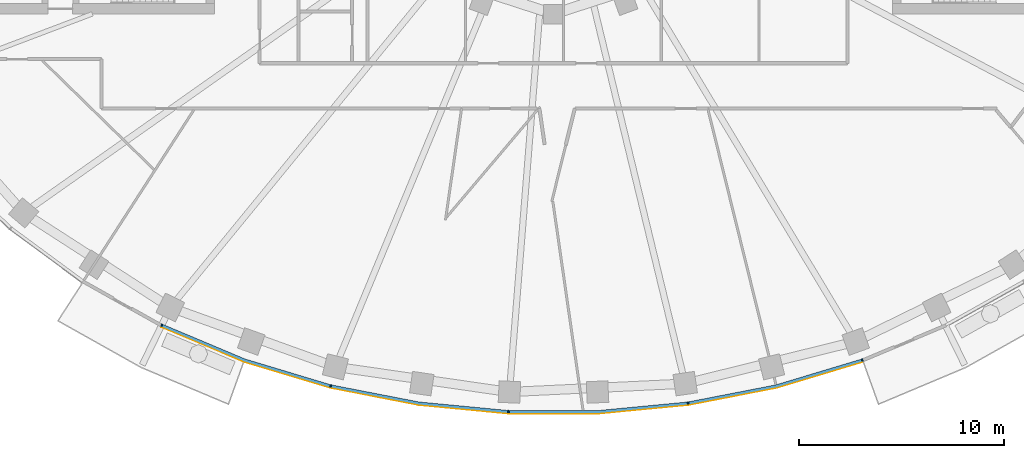
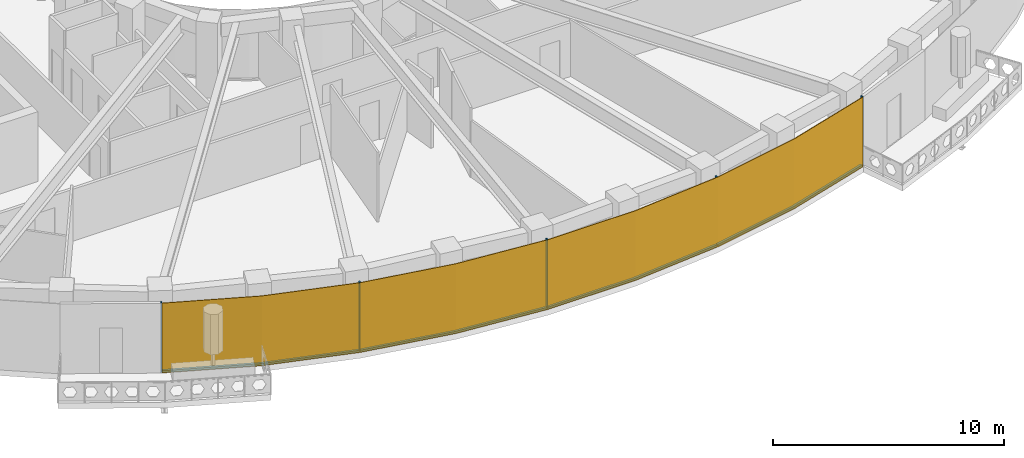
# One storey, part 9 of 15: 9 members, 1 curtain wall.
"""IFC4 building model written with IfcOpenShell, lengths in metres."""

from ifc_helpers import new_model, si_unit, direction, frame, origin, origin_2d, place, context, subcontext, project, spatial, polyline, rectangle, outline, extrude, material, layer, layer_set, material_profile, profile_set, type_object, element, aggregate, save


model = new_model("IFC4")

# Units and contexts
model_context = context("Model", 3, precision=1e-05, world=origin(), true_north=direction((0.0, 1.0)))
body_context = subcontext(model_context, "Body", "Model", "MODEL_VIEW")
ifc_project = project(units=[si_unit("LENGTHUNIT", "METRE"), si_unit("AREAUNIT", "SQUARE_METRE"), si_unit("VOLUMEUNIT", "CUBIC_METRE"), si_unit("PLANEANGLEUNIT", "RADIAN"), si_unit("MASSUNIT", "GRAM", prefix="KILO")], contexts=[model_context])

# Member
ifc_material_1 = material(Name="Aluminium 6063-T6 black anodised", Category="aluminium")
ifc_material_profile = material_profile(ifc_material_1, rectangle(XDim=0.1201171875, YDim=0.06005859375, at=origin_2d()), Name="120x60")
ifc_profile_set = profile_set([ifc_material_profile], Name="Aluminium 6063-T6 black anodised")
member_type_1 = type_object("IfcMemberType", Name="ENV-MULLION-A-120", PredefinedType="MULLION", material=ifc_profile_set)
site_placement = place(None, origin())
building_placement = place(site_placement, origin())
storey_placement = place(building_placement, frame((0.0, 0.0, 265.5)))
member_1_placement = place(storey_placement, frame((-19.06787109375, -23.6474609375, 0.0), z_axis=(0.0, 0.0, 1.0), x_axis=(0.439237769837, 0.898370848563, 0.0)))
member_1 = element("IfcMember", 1, at=member_1_placement, type_object=member_type_1, Name="Mullion A radial 31", PredefinedType="MULLION", context=body_context, shape_type="SweptSolid", body=[
    extrude(rectangle(XDim=0.1201171875, YDim=0.06005859375, at=origin_2d()), origin(), (0.0, 0.0, 1.0), 3.699951171875),
])

member_2_placement = place(storey_placement, frame((-10.84326171875, -26.60498046875, 0.0), z_axis=(0.0, 0.0, 1.0), x_axis=(0.239799081534, 0.970822538106, 0.0)))
member_2 = element("IfcMember", 2, at=member_2_placement, type_object=member_type_1, Name="Mullion A radial 33", PredefinedType="MULLION", context=body_context, shape_type="SweptSolid", body=[
    extrude(rectangle(XDim=0.1201171875, YDim=0.06005859375, at=origin_2d()), origin(), (0.0, 0.0, 1.0), 3.699951171875),
])

member_3_placement = place(storey_placement, frame((-2.188720703125, -27.856201171875, 0.0), z_axis=(0.0, 0.0, 1.0), x_axis=(0.047557873581, 0.998868484166, 0.0)))
member_3 = element("IfcMember", 3, at=member_3_placement, type_object=member_type_1, Name="Mullion A radial 35", PredefinedType="MULLION", context=body_context, shape_type="SweptSolid", body=[
    extrude(rectangle(XDim=0.1201171875, YDim=0.06005859375, at=origin_2d()), origin(), (0.0, 0.0, 1.0), 3.699951171875),
])

member_4_placement = place(storey_placement, frame((6.54638671875, -27.440185546875, 0.0), z_axis=(0.0, 0.0, 1.0), x_axis=(-0.143082012705, 0.989710835366, 0.0)))
member_4 = element("IfcMember", 4, at=member_4_placement, type_object=member_type_1, Name="Mullion A radial 37", PredefinedType="MULLION", context=body_context, shape_type="SweptSolid", body=[
    extrude(rectangle(XDim=0.1201171875, YDim=0.06005859375, at=origin_2d()), origin(), (0.0, 0.0, 1.0), 3.699951171875),
])

member_5_placement = place(storey_placement, frame((15.0341796875, -25.34375, 0.0), z_axis=(0.0, 0.0, 1.0), x_axis=(-0.338379256581, 0.941009818608, 0.0)))
member_5 = element("IfcMember", 5, at=member_5_placement, type_object=member_type_1, Name="Mullion A radial 39", PredefinedType="MULLION", context=body_context, shape_type="SweptSolid", body=[
    extrude(rectangle(XDim=0.1201171875, YDim=0.06005859375, at=origin_2d()), origin(), (0.0, 0.0, 1.0), 3.699951171875),
])

ifc_material_2 = material(Name="Aluminium 6063-T6 black anodised", Category="aluminium")
member_type_2 = type_object("IfcMemberType", Name="ENV-TRANSOM-A", PredefinedType="USERDEFINED", material=ifc_material_2)
member_6_placement = place(storey_placement, origin())
member_6 = element("IfcMember", 6, at=member_6_placement, type_object=member_type_2, Name="Transom A radial 31-33", ObjectType="TRANSOM", PredefinedType="USERDEFINED", context=body_context, shape_type="SweptSolid", body=[
    extrude(outline(polyline([(-19.068359375, -23.71240234375), (-15.054443359375, -25.400146484375), (-10.884521484375, -26.655029296875), (-10.855712890625, -26.53857421875), (-15.013916015625, -25.287109375), (-19.015380859375, -23.604248046875), (-19.068359375, -23.71240234375)])), origin(), (0.0, 0.0, 1.0), 0.10009765625),
])

member_7_placement = place(storey_placement, origin())
member_7 = element("IfcMember", 7, at=member_7_placement, type_object=member_type_2, Name="Transom A radial 33-35", ObjectType="TRANSOM", PredefinedType="USERDEFINED", context=body_context, shape_type="SweptSolid", body=[
    extrude(outline(polyline([(-10.830078125, -26.66845703125), (-6.55517578125, -27.49951171875), (-2.219482421875, -27.913330078125), (-2.2138671875, -27.793212890625), (-6.537841796875, -27.380615234375), (-10.80126953125, -26.552001953125), (-10.830078125, -26.66845703125)])), origin(), (0.0, 0.0, 1.0), 0.10009765625),
])

member_8_placement = place(storey_placement, origin())
member_8 = element("IfcMember", 8, at=member_8_placement, type_object=member_type_2, Name="Transom A radial 35-37", ObjectType="TRANSOM", PredefinedType="USERDEFINED", context=body_context, shape_type="SweptSolid", body=[
    extrude(outline(polyline([(-2.163818359375, -27.916015625), (2.191650390625, -27.916015625), (6.527099609375, -27.502197265625), (6.510009765625, -27.38330078125), (2.185791015625, -27.7958984375), (-2.157958984375, -27.7958984375), (-2.163818359375, -27.916015625)])), origin(), (0.0, 0.0, 1.0), 0.10009765625),
])

member_9_placement = place(storey_placement, origin())
member_9 = element("IfcMember", 9, at=member_9_placement, type_object=member_type_2, Name="Transom A radial 37-39", ObjectType="TRANSOM", PredefinedType="USERDEFINED", context=body_context, shape_type="SweptSolid", body=[
    extrude(outline(polyline([(6.58251953125, -27.494140625), (10.857666015625, -26.6630859375), (15.027587890625, -25.408203125), (14.987060546875, -25.295166015625), (10.828857421875, -26.54638671875), (6.5654296875, -27.375244140625), (6.58251953125, -27.494140625)])), origin(), (0.0, 0.0, 1.0), 0.10009765625),
])

# Site, building, storey
site = spatial("IfcSite", under=ifc_project, at=site_placement, CompositionType="ELEMENT")
building = spatial("IfcBuilding", under=site, at=building_placement, Name="Noorbagh Ring Tower", CompositionType="ELEMENT")
storey = spatial("IfcBuildingStorey", under=building, at=storey_placement, Name="L56", CompositionType="ELEMENT", Elevation=265.5)

# Curtain wall
ifc_material_3 = material(Name="Glass dark tinted laminated", Category="glass")
ifc_layer = layer(ifc_material_3, 0.031982421875)
ifc_layer_set = layer_set([ifc_layer], Name="Glass dark tinted laminated")
curtain_wall_type = type_object("IfcCurtainWallType", Name="ENV-CW-A", PredefinedType="NOTDEFINED", material=ifc_layer_set)
curtain_wall_placement = place(storey_placement, origin())
curtain_wall = element("IfcCurtainWall", 10, at=curtain_wall_placement, inside=storey, type_object=curtain_wall_type, Name="Curtain wall A R31", PredefinedType="NOTDEFINED", context=body_context, shape_type="SweptSolid", body=[
    extrude(outline(polyline([(-19.08984375, -23.738037109375), (-15.065185546875, -25.430419921875), (-10.865234375, -26.6943359375), (-6.559814453125, -27.53125), (-2.193115234375, -27.947998046875), (2.193115234375, -27.947998046875), (6.559814453125, -27.53125), (10.865234375, -26.6943359375), (15.046142578125, -25.43603515625), (15.035400390625, -25.406005859375), (10.857666015625, -26.6630859375), (6.55517578125, -27.49951171875), (2.191650390625, -27.916015625), (-2.191650390625, -27.916015625), (-6.55517578125, -27.49951171875), (-10.857666015625, -26.6630859375), (-15.054443359375, -25.400146484375), (-19.07568359375, -23.709228515625), (-19.08984375, -23.738037109375)])), origin(), (0.0, 0.0, 1.0), 3.699951171875),
])

aggregate(curtain_wall, [member_1, member_2, member_3, member_4, member_5, member_6, member_7, member_8, member_9])

save(model, "model.ifc")
